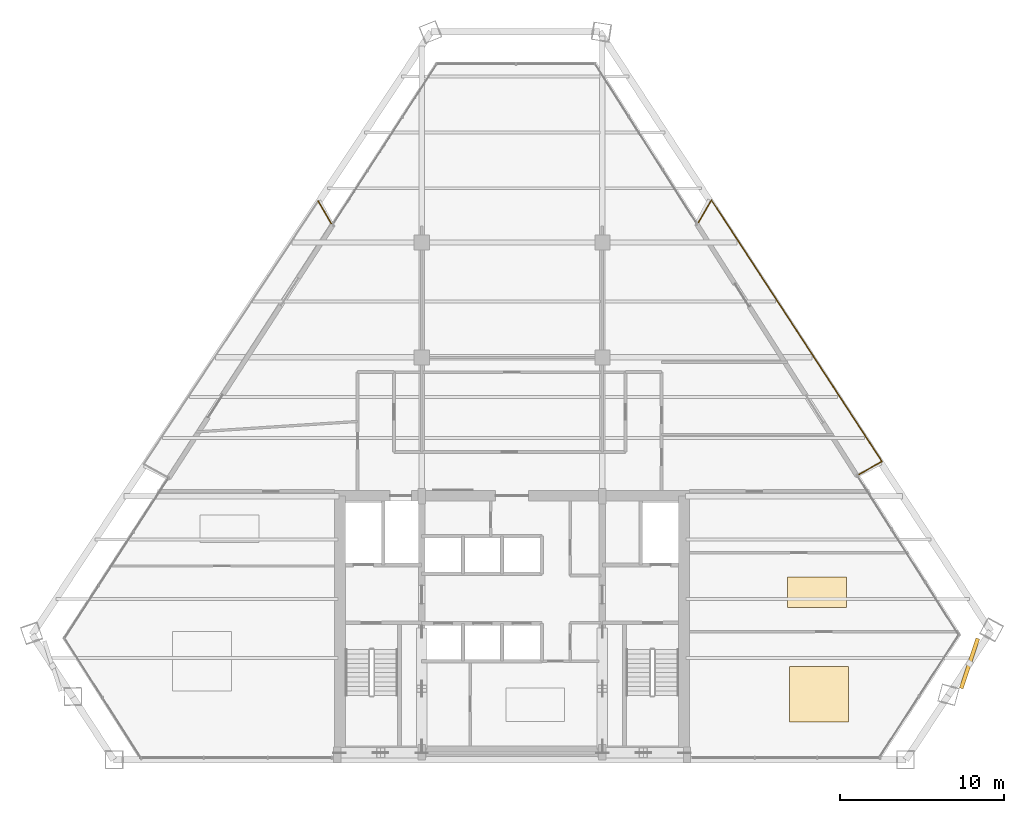
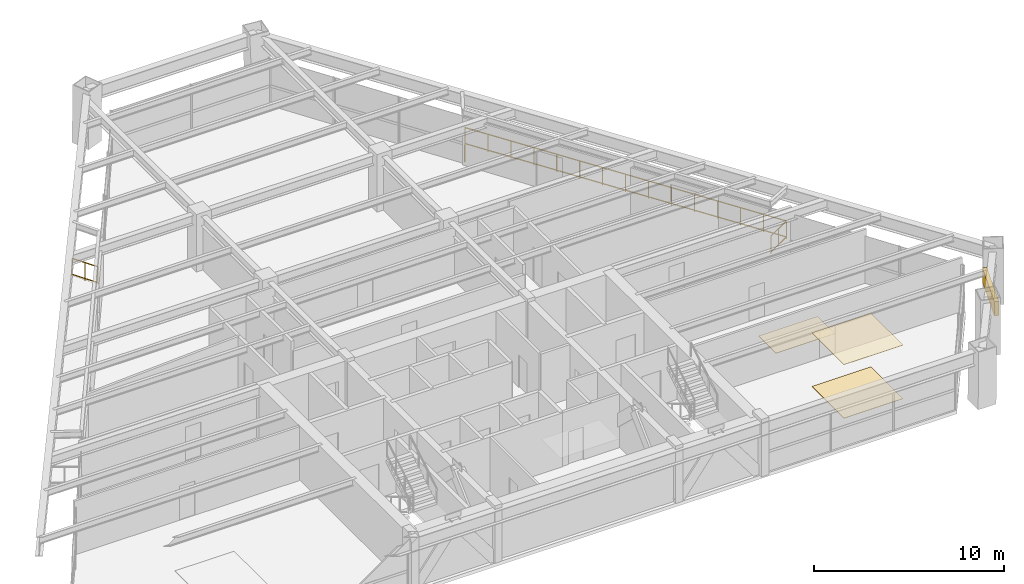
# One storey, part 15 of 15: 4 railings, 3 coverings, 1 shading device.
"""IFC4 building model written with IfcOpenShell, lengths in metres."""

from ifc_helpers import new_model, si_unit, direction, frame, origin, origin_2d, place, context, subcontext, project, spatial, rectangle, extrude, source, transform, mapped, material, layer, layer_set, type_object, type_shapes, element, save


model = new_model("IFC4")

# Units and contexts
model_context = context("Model", 3, precision=1e-05, world=origin(), true_north=direction((0.0, 1.0)))
body_context = subcontext(model_context, "Body", "Model", "MODEL_VIEW")
ifc_project = project(units=[si_unit("LENGTHUNIT", "METRE"), si_unit("AREAUNIT", "SQUARE_METRE"), si_unit("VOLUMEUNIT", "CUBIC_METRE"), si_unit("PLANEANGLEUNIT", "RADIAN"), si_unit("MASSUNIT", "GRAM", prefix="KILO")], contexts=[model_context])

# Site, building, storey
site_placement = place(None, origin())
site = spatial("IfcSite", under=ifc_project, at=site_placement, CompositionType="ELEMENT")
building_placement = place(site_placement, origin())
building = spatial("IfcBuilding", under=site, at=building_placement, Name="Varnakhor Terracotta Tower", CompositionType="ELEMENT")
storey_placement = place(building_placement, frame((0.0, 0.0, 144.10009765625)))
storey = spatial("IfcBuildingStorey", under=building, at=storey_placement, Name="L36", CompositionType="ELEMENT", Elevation=144.10009765625)

# Railings
ifc_material_1 = material(Name="Stainless Steel & Laminated Glass Guardrail", Category="steel")
railing_type = type_object("IfcRailingType", Name="RLG-LOGGIA-GUARD-1150", PredefinedType="GUARDRAIL", material=ifc_material_1)
railing_1_placement = place(storey_placement, frame((11.350830078125, 32.7197265625, 0.0)))
element("IfcRailing", 1, at=railing_1_placement, inside=storey, type_object=railing_type, Name="L36 E Loggia Glass Guard 1", PredefinedType="GUARDRAIL", context=body_context, shape_type="SweptSolid", body=[
    extrude(rectangle(XDim=0.048095703125, YDim=0.048095703125, at=origin_2d()), frame((0.0, 0.0, 1.1259765625), z_axis=(0.505391508063, 0.862890157307, 0.0), x_axis=(-0.862890157307, 0.505391508063, 0.0)), (0.0, 0.0, 1.0), 1.566650390625),
    extrude(rectangle(XDim=0.048095703125, YDim=0.048095703125, at=origin_2d()), frame((0.0, 0.0, 0.10009765625), z_axis=(0.505391508063, 0.862890157307, 0.0), x_axis=(-0.862890157307, 0.505391508063, 0.0)), (0.0, 0.0, 1.0), 1.566650390625),
    extrude(rectangle(XDim=0.0419921875, YDim=0.0419921875, at=origin_2d()), origin(), (0.0, 0.0, 1.0), 1.101806640625),
    extrude(rectangle(XDim=0.0419921875, YDim=0.0419921875, at=origin_2d()), frame((0.39599609375, 0.67578125, 0.0)), (0.0, 0.0, 1.0), 1.101806640625),
    extrude(rectangle(XDim=0.0419921875, YDim=0.0419921875, at=origin_2d()), frame((0.791748046875, 1.351806640625, 0.0)), (0.0, 0.0, 1.0), 1.101806640625),
])
railing_2_placement = place(storey_placement, frame((12.142578125, 34.071533203125, 0.0)))
element("IfcRailing", 2, at=railing_2_placement, inside=storey, type_object=railing_type, Name="L36 E Loggia Glass Guard 2", PredefinedType="GUARDRAIL", context=body_context, shape_type="SweptSolid", body=[
    extrude(rectangle(XDim=0.048095703125, YDim=0.048095703125, at=origin_2d()), frame((0.0, 0.0, 1.1259765625), z_axis=(0.546594335941, -0.837397535175, 0.0), x_axis=(0.837397535175, 0.546594335941, 0.0)), (0.0, 0.0, 1.0), 18.99462890625),
    extrude(rectangle(XDim=0.048095703125, YDim=0.048095703125, at=origin_2d()), frame((0.0, 0.0, 0.10009765625), z_axis=(0.546594335941, -0.837397535175, 0.0), x_axis=(0.837397535175, 0.546594335941, 0.0)), (0.0, 0.0, 1.0), 18.99462890625),
    extrude(rectangle(XDim=0.0419921875, YDim=0.0419921875, at=origin_2d()), origin(), (0.0, 0.0, 1.0), 1.101806640625),
    extrude(rectangle(XDim=0.0419921875, YDim=0.0419921875, at=origin_2d()), frame((0.74169921875, -1.13623046875, 0.0)), (0.0, 0.0, 1.0), 1.101806640625),
    extrude(rectangle(XDim=0.0419921875, YDim=0.0419921875, at=origin_2d()), frame((1.483154296875, -2.272216796875, 0.0)), (0.0, 0.0, 1.0), 1.101806640625),
    extrude(rectangle(XDim=0.0419921875, YDim=0.0419921875, at=origin_2d()), frame((2.224853515625, -3.408447265625, 0.0)), (0.0, 0.0, 1.0), 1.101806640625),
    extrude(rectangle(XDim=0.0419921875, YDim=0.0419921875, at=origin_2d()), frame((2.96630859375, -4.544677734375, 0.0)), (0.0, 0.0, 1.0), 1.101806640625),
    extrude(rectangle(XDim=0.0419921875, YDim=0.0419921875, at=origin_2d()), frame((3.7080078125, -5.6806640625, 0.0)), (0.0, 0.0, 1.0), 1.101806640625),
    extrude(rectangle(XDim=0.0419921875, YDim=0.0419921875, at=origin_2d()), frame((4.449462890625, -6.81689453125, 0.0)), (0.0, 0.0, 1.0), 1.101806640625),
    extrude(rectangle(XDim=0.0419921875, YDim=0.0419921875, at=origin_2d()), frame((5.191162109375, -7.953125, 0.0)), (0.0, 0.0, 1.0), 1.101806640625),
    extrude(rectangle(XDim=0.0419921875, YDim=0.0419921875, at=origin_2d()), frame((5.932861328125, -9.089111328125, 0.0)), (0.0, 0.0, 1.0), 1.101806640625),
    extrude(rectangle(XDim=0.0419921875, YDim=0.0419921875, at=origin_2d()), frame((6.67431640625, -10.225341796875, 0.0)), (0.0, 0.0, 1.0), 1.101806640625),
    extrude(rectangle(XDim=0.0419921875, YDim=0.0419921875, at=origin_2d()), frame((7.416015625, -11.361328125, 0.0)), (0.0, 0.0, 1.0), 1.101806640625),
    extrude(rectangle(XDim=0.0419921875, YDim=0.0419921875, at=origin_2d()), frame((8.157470703125, -12.49755859375, 0.0)), (0.0, 0.0, 1.0), 1.101806640625),
    extrude(rectangle(XDim=0.0419921875, YDim=0.0419921875, at=origin_2d()), frame((8.899169921875, -13.6337890625, 0.0)), (0.0, 0.0, 1.0), 1.101806640625),
    extrude(rectangle(XDim=0.0419921875, YDim=0.0419921875, at=origin_2d()), frame((9.640625, -14.769775390625, 0.0)), (0.0, 0.0, 1.0), 1.101806640625),
    extrude(rectangle(XDim=0.0419921875, YDim=0.0419921875, at=origin_2d()), frame((10.38232421875, -15.906005859375, 0.0)), (0.0, 0.0, 1.0), 1.101806640625),
])
railing_3_placement = place(storey_placement, frame((22.52490234375, 18.16552734375, 0.0)))
element("IfcRailing", 3, at=railing_3_placement, inside=storey, type_object=railing_type, Name="L36 E Loggia Glass Guard 3", PredefinedType="GUARDRAIL", context=body_context, shape_type="SweptSolid", body=[
    extrude(rectangle(XDim=0.048095703125, YDim=0.048095703125, at=origin_2d()), frame((0.0, 0.0, 1.1259765625), z_axis=(-0.870141472942, -0.492802005948, 0.0), x_axis=(0.492802005948, -0.870141472942, 0.0)), (0.0, 0.0, 1.0), 1.609130859375),
    extrude(rectangle(XDim=0.048095703125, YDim=0.048095703125, at=origin_2d()), frame((0.0, 0.0, 0.10009765625), z_axis=(-0.870141472942, -0.492802005948, 0.0), x_axis=(0.492802005948, -0.870141472942, 0.0)), (0.0, 0.0, 1.0), 1.609130859375),
    extrude(rectangle(XDim=0.0419921875, YDim=0.0419921875, at=origin_2d()), origin(), (0.0, 0.0, 1.0), 1.101806640625),
    extrude(rectangle(XDim=0.0419921875, YDim=0.0419921875, at=origin_2d()), frame((-0.7001953125, -0.396484375, 0.0)), (0.0, 0.0, 1.0), 1.101806640625),
    extrude(rectangle(XDim=0.0419921875, YDim=0.0419921875, at=origin_2d()), frame((-1.400146484375, -0.79296875, 0.0)), (0.0, 0.0, 1.0), 1.101806640625),
])
railing_4_placement = place(storey_placement, frame((-11.805908203125, 34.01318359375, 0.0)))
element("IfcRailing", 4, at=railing_4_placement, inside=storey, type_object=railing_type, Name="L36 W Loggia Glass Guard 3", PredefinedType="GUARDRAIL", context=body_context, shape_type="SweptSolid", body=[
    extrude(rectangle(XDim=0.048095703125, YDim=0.048095703125, at=origin_2d()), frame((0.0, 0.0, 1.1259765625), z_axis=(0.507510491894, -0.861645577147, 0.0), x_axis=(0.861645577147, 0.507510491894, 0.0)), (0.0, 0.0, 1.0), 1.56640625),
    extrude(rectangle(XDim=0.048095703125, YDim=0.048095703125, at=origin_2d()), frame((0.0, 0.0, 0.10009765625), z_axis=(0.507510491894, -0.861645577147, 0.0), x_axis=(0.861645577147, 0.507510491894, 0.0)), (0.0, 0.0, 1.0), 1.56640625),
    extrude(rectangle(XDim=0.0419921875, YDim=0.0419921875, at=origin_2d()), origin(), (0.0, 0.0, 1.0), 1.101806640625),
    extrude(rectangle(XDim=0.0419921875, YDim=0.0419921875, at=origin_2d()), frame((0.3974609375, -0.6748046875, 0.0)), (0.0, 0.0, 1.0), 1.101806640625),
    extrude(rectangle(XDim=0.0419921875, YDim=0.0419921875, at=origin_2d()), frame((0.794921875, -1.349609375, 0.0)), (0.0, 0.0, 1.0), 1.101806640625),
])

# Shading device
ifc_material_2 = material(Name="Extruded Architectural Terracotta Screen", Category="masonry")
shading_device_type = type_object("IfcShadingDeviceType", Name="TERRACOTTA SOLAR SCREEN E", PredefinedType="USERDEFINED", material=ifc_material_2)
shared_shape_1 = source(origin(), body_context, "Body", "SweptSolid", [
    extrude(rectangle(XDim=3.199951171875, YDim=0.239990234375, at=origin_2d()), origin(), (0.0, 0.0, 1.0), 0.919921875),
])
type_shapes(shading_device_type, [shared_shape_1])
shading_device_placement = place(storey_placement, frame((27.856201171875, 5.86474609375, 1.7099609375), z_axis=(0.0, 0.0, 1.0), x_axis=(0.317106033005, 0.948390090538, 0.0)))
element("IfcShadingDevice", 5, at=shading_device_placement, inside=storey, type_object=shading_device_type, Name="L36 E Terracotta Solar Screen", ObjectType="SCREEN", PredefinedType="USERDEFINED", context=body_context, shape_type="MappedRepresentation", body=[
    mapped(shared_shape_1, transform((0.0, 0.0, 0.0), scale=1.0)),
])

# Coverings
ifc_material_3 = material(Name="Honed Riyadh Limestone Flooring", Category="masonry")
ifc_layer_1 = layer(ifc_material_3, 0.030029296875, Name="Honed Riyadh Limestone Flooring")
ifc_layer_set_1 = layer_set([ifc_layer_1], Name="Honed Riyadh Limestone Flooring")
covering_type_1 = type_object("IfcCoveringType", Name="COV-FLOOR-LIMESTONE", PredefinedType="FLOORING", material=ifc_layer_set_1)
shared_shape_2 = source(origin(), body_context, "Body", "SweptSolid", [
    extrude(rectangle(XDim=3.60009765625, YDim=3.37890625, at=origin_2d()), origin(), (0.0, 0.0, 1.0), 0.02001953125),
])
covering_1_placement = place(storey_placement, frame((18.680908203125, 4.001953125, 0.0), z_axis=(0.0, 0.0, 1.0), x_axis=(1.0, 0.0, 0.0)))
element("IfcCovering", 6, at=covering_1_placement, inside=storey, type_object=covering_type_1, Name="L36 Honed Stone Flooring 2", PredefinedType="FLOORING", context=body_context, shape_type="MappedRepresentation", body=[
    mapped(shared_shape_2, transform((0.0, 0.0, 0.0), scale=1.0)),
])
ifc_material_4 = material(Name="Perforated Acoustic Mineral-Fibre Ceiling", Category="gypsum")
ifc_layer_2 = layer(ifc_material_4, 0.02490234375, Name="Perforated Acoustic Mineral-Fibre Ceiling")
ifc_layer_set_2 = layer_set([ifc_layer_2], Name="Perforated Acoustic Mineral-Fibre Ceiling")
covering_type_2 = type_object("IfcCoveringType", Name="COV-CEILING-ACOUSTIC", PredefinedType="CEILING", material=ifc_layer_set_2)
shared_shape_3 = source(origin(), body_context, "Body", "SweptSolid", [
    extrude(rectangle(XDim=3.60009765625, YDim=3.37890625, at=origin_2d()), origin(), (0.0, 0.0, 1.0), 0.02392578125),
])
covering_2_placement = place(storey_placement, frame((18.680908203125, 4.001953125, 3.446044921875), z_axis=(0.0, 0.0, 1.0), x_axis=(1.0, 0.0, 0.0)))
element("IfcCovering", 7, at=covering_2_placement, inside=storey, type_object=covering_type_2, Name="L36 Acoustic Ceiling Panel 2", PredefinedType="CEILING", context=body_context, shape_type="MappedRepresentation", body=[
    mapped(shared_shape_3, transform((0.0, 0.0, 0.0), scale=1.0)),
])
shared_shape_4 = source(origin(), body_context, "Body", "SweptSolid", [
    extrude(rectangle(XDim=3.60009765625, YDim=1.841064453125, at=origin_2d()), origin(), (0.0, 0.0, 1.0), 0.02001953125),
])
covering_3_placement = place(storey_placement, frame((18.56298828125, 10.199951171875, 0.0), z_axis=(0.0, 0.0, 1.0), x_axis=(1.0, 0.0, 0.0)))
element("IfcCovering", 8, at=covering_3_placement, inside=storey, type_object=covering_type_1, Name="L36 Honed Stone Flooring 4", PredefinedType="FLOORING", context=body_context, shape_type="MappedRepresentation", body=[
    mapped(shared_shape_4, transform((0.0, 0.0, 0.0), scale=1.0)),
])

save(model, "model.ifc")
